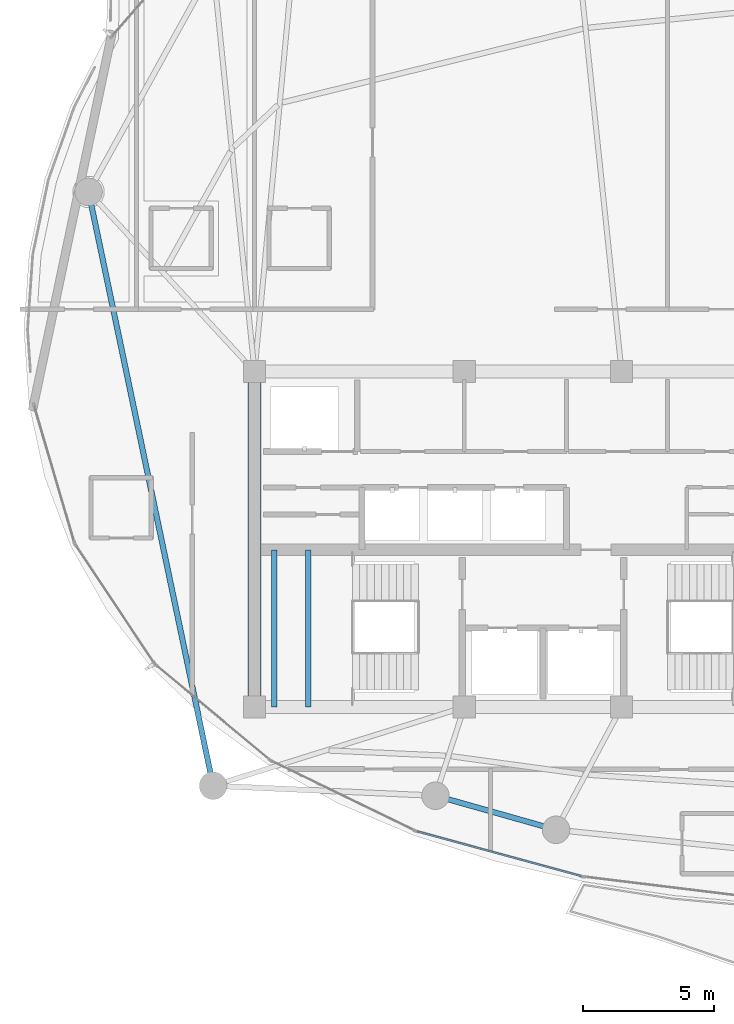
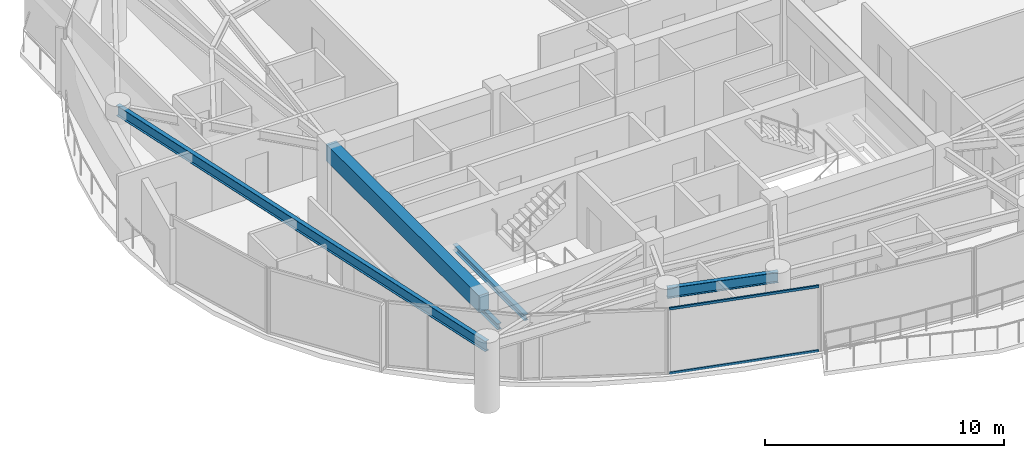
# One storey, part 4 of 29: 5 beams, 2 members, 1 element without a shape of its own.
"""IFC4 building model written with IfcOpenShell, lengths in metres."""

from ifc_helpers import new_model, si_unit, direction, frame, origin, origin_2d, place, context, subcontext, project, spatial, rectangle, hollow_rectangle, i_section, extrude, material, layer, layer_set, material_profile, profile_set, type_object, element, aggregate, save


model = new_model("IFC4")

# Units and contexts
model_context = context("Model", 3, precision=1e-05, world=origin(), true_north=direction((0.0, 1.0)))
body_context = subcontext(model_context, "Body", "Model", "MODEL_VIEW")
ifc_project = project(units=[si_unit("LENGTHUNIT", "METRE"), si_unit("AREAUNIT", "SQUARE_METRE"), si_unit("VOLUMEUNIT", "CUBIC_METRE"), si_unit("PLANEANGLEUNIT", "RADIAN"), si_unit("MASSUNIT", "GRAM", prefix="KILO")], contexts=[model_context])

# Site, building, storey
site_placement = place(None, origin())
site = spatial("IfcSite", under=ifc_project, at=site_placement, CompositionType="ELEMENT")
building_placement = place(site_placement, origin())
building = spatial("IfcBuilding", under=site, at=building_placement, Name="Kazevale Care Tower and Concert Hall", CompositionType="ELEMENT")
storey_placement = place(building_placement, frame((0.0, 0.0, 224.39990234375)))
storey = spatial("IfcBuildingStorey", under=building, at=storey_placement, Name="L59", CompositionType="ELEMENT", Elevation=224.39990234375)

# Curtain wall, members
ifc_material_1 = material(Name="Aluminium 6063-T6 and Low-E Glass", Category="aluminium")
ifc_layer = layer(ifc_material_1, 0.179931640625)
ifc_layer_set = layer_set([ifc_layer], Name="Aluminium 6063-T6 and Low-E Glass")
curtain_wall_type = type_object("IfcCurtainWallType", Name="Sheltered Concave Balcony Curtain Wall CW-5", PredefinedType="NOTDEFINED", material=ifc_layer_set)
curtain_wall_placement = place(storey_placement, origin())
curtain_wall = element("IfcCurtainWall", 1, at=curtain_wall_placement, inside=storey, type_object=curtain_wall_type, Name="cw:L59:f08", PredefinedType="NOTDEFINED")
ifc_material_2 = material(Name="Aluminium 6063-T6", Category="aluminium")
ifc_material_profile_1 = material_profile(ifc_material_2, hollow_rectangle(XDim=0.074951171875, YDim=0.1201171875, WallThickness=0.00390625, at=origin_2d()), Name="ALU75x120x4")
ifc_profile_set_1 = profile_set([ifc_material_profile_1], Name="Aluminium 6063-T6")
member_type = type_object("IfcMemberType", Name="CW-5 Transom ALU75x120x4", PredefinedType="USERDEFINED", material=ifc_profile_set_1)
member_1_placement = place(storey_placement, frame((34.458740234375, 17.15283203125, 0.03759765625), z_axis=(-0.964843890632, 0.262823641842, 0.0), x_axis=(-0.262823641842, -0.964843890632, 0.0)))
member_1 = element("IfcMember", 2, at=member_1_placement, type_object=member_type, Name="CW-5 transom 1.1", ObjectType="TRANSOM", PredefinedType="USERDEFINED", context=body_context, shape_type="SweptSolid", body=[
    extrude(hollow_rectangle(XDim=0.074951171875, YDim=0.1201171875, WallThickness=0.00390625, at=origin_2d()), origin(), (0.0, 0.0, 1.0), 6.469970703125),
])
member_2_placement = place(storey_placement, frame((34.458740234375, 17.15283203125, 3.322509765625), z_axis=(-0.964843890632, 0.262823641842, 0.0), x_axis=(-0.262823641842, -0.964843890632, 0.0)))
member_2 = element("IfcMember", 3, at=member_2_placement, type_object=member_type, Name="CW-5 transom 1.2", ObjectType="TRANSOM", PredefinedType="USERDEFINED", context=body_context, shape_type="SweptSolid", body=[
    extrude(hollow_rectangle(XDim=0.074951171875, YDim=0.1201171875, WallThickness=0.00390625, at=origin_2d()), origin(), (0.0, 0.0, 1.0), 6.469970703125),
])
aggregate(curtain_wall, [member_1, member_2])

# Beams
ifc_material_3 = material(Name="Concrete C60", Category="concrete")
ifc_material_profile_2 = material_profile(ifc_material_3, rectangle(XDim=0.5, YDim=0.85009765625, at=origin_2d()), Name="RC-B500x850")
ifc_profile_set_2 = profile_set([ifc_material_profile_2], Name="Concrete C60")
beam_type_1 = type_object("IfcBeamType", Name="Core Coupling Beam RC500x850", PredefinedType="LINTEL", material=ifc_profile_set_2)
beam_1_placement = place(storey_placement, frame((22.0, 36.39990234375, 2.93505859375), z_axis=(0.0, -1.0, 0.0), x_axis=(1.0, 0.0, 0.0)))
element("IfcBeam", 4, at=beam_1_placement, inside=storey, type_object=beam_type_1, Name="beam:L59:coretie:8", PredefinedType="LINTEL", context=body_context, shape_type="SweptSolid", body=[
    extrude(rectangle(XDim=0.5, YDim=0.85009765625, at=origin_2d()), origin(), (0.0, 0.0, 1.0), 12.7998046875),
])
ifc_material_4 = material(Name="Steel ASTM A572 Gr 50", Category="steel")
ifc_material_profile_3 = material_profile(ifc_material_4, i_section(OverallWidth=0.202880859375, OverallDepth=0.302978515625, WebThickness=0.007568359375, FlangeThickness=0.01318359375, at=origin_2d()), Name="W310x60")
ifc_profile_set_3 = profile_set([ifc_material_profile_3], Name="Steel ASTM A572 Gr 50")
beam_type_2 = type_object("IfcBeamType", Name="Stair & Balcony Trimmer W310x60", PredefinedType="BEAM", material=ifc_profile_set_3)
for number, where, z_axis, x_axis, name in (
    (5, (22.75, 23.60009765625, 1.448486328125), (0.0, 1.0, 0.0), (-1.0, 0.0, 0.0), "beam:L59:sttrim:ST1"),
    (6, (24.050048828125, 23.60009765625, 1.448486328125), (0.0, 1.0, 0.0), (-1.0, 0.0, 0.0), "beam:L59:sttrim:ST1b"),
):
    element("IfcBeam", number, at=place(storey_placement, frame(where, z_axis=z_axis, x_axis=x_axis)), inside=storey, type_object=beam_type_2, Name=name, PredefinedType="BEAM", context=body_context, shape_type="SweptSolid", body=[
        extrude(i_section(OverallWidth=0.202880859375, OverallDepth=0.302978515625, WebThickness=0.007568359375, FlangeThickness=0.01318359375, at=origin_2d()), origin(), (0.0, 0.0, 1.0), 6.0),
    ])
ifc_material_profile_4 = material_profile(ifc_material_4, i_section(OverallWidth=0.208984375, OverallDepth=0.532958984375, WebThickness=0.01025390625, FlangeThickness=0.015625, at=origin_2d()), Name="W530x92")
ifc_profile_set_4 = profile_set([ifc_material_profile_4], Name="Steel ASTM A572 Gr 50")
beam_type_3 = type_object("IfcBeamType", Name="Upper Ring Beam W530x92", PredefinedType="BEAM", material=ifc_profile_set_4)
beam_2_placement = place(storey_placement, frame((15.669921875, 43.25, 3.093505859375), z_axis=(0.205249071222, -0.978709772488, 0.0), x_axis=(0.978709772488, 0.205249071222, 0.0)))
element("IfcBeam", 7, at=beam_2_placement, inside=storey, type_object=beam_type_3, Name="beam:L59:ring:09", PredefinedType="BEAM", context=body_context, shape_type="SweptSolid", body=[
    extrude(i_section(OverallWidth=0.208984375, OverallDepth=0.532958984375, WebThickness=0.01025390625, FlangeThickness=0.015625, at=origin_2d()), origin(), (0.0, 0.0, 1.0), 23.142578125),
])
beam_3_placement = place(storey_placement, frame((28.89990234375, 20.219970703125, 3.093505859375), z_axis=(0.962308240836, -0.271961117846, 0.0), x_axis=(0.271961117846, 0.962308240836, 0.0)))
element("IfcBeam", 8, at=beam_3_placement, inside=storey, type_object=beam_type_3, Name="beam:L59:ring:11", PredefinedType="BEAM", context=body_context, shape_type="SweptSolid", body=[
    extrude(i_section(OverallWidth=0.208984375, OverallDepth=0.532958984375, WebThickness=0.01025390625, FlangeThickness=0.015625, at=origin_2d()), origin(), (0.0, 0.0, 1.0), 4.7802734375),
])

save(model, "model.ifc")
